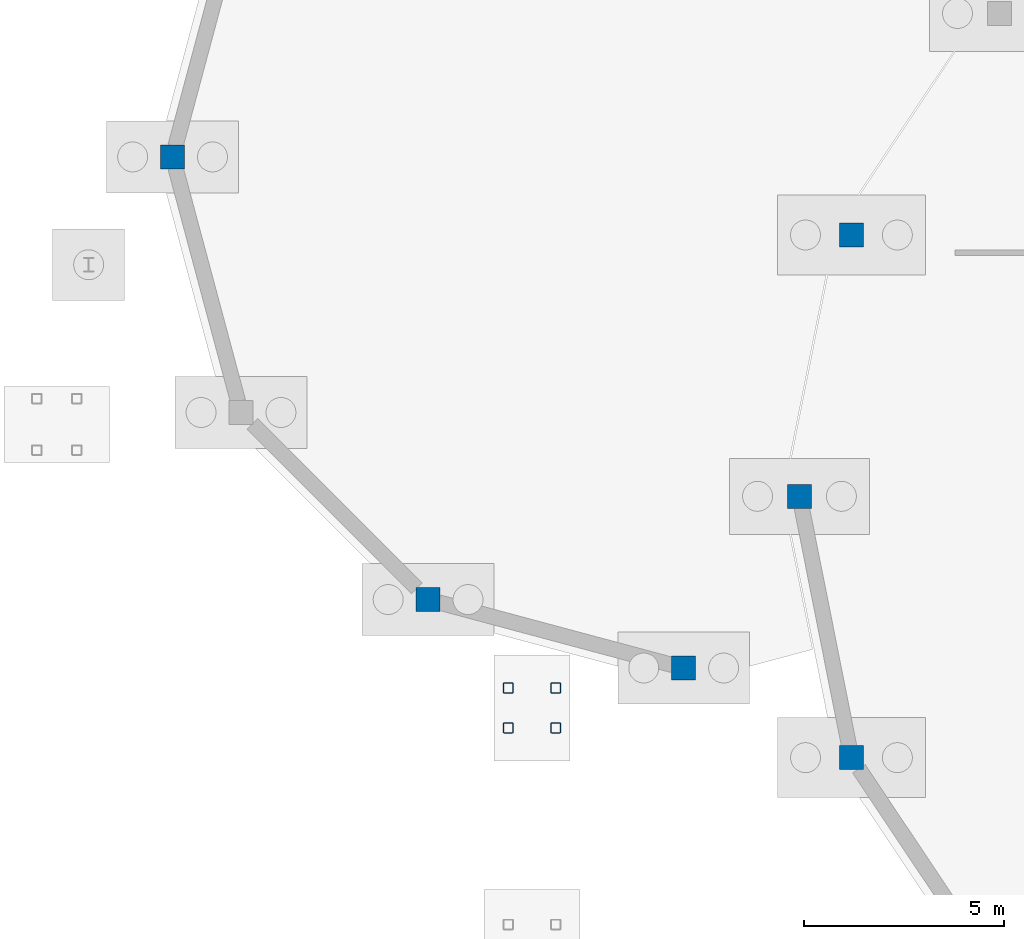
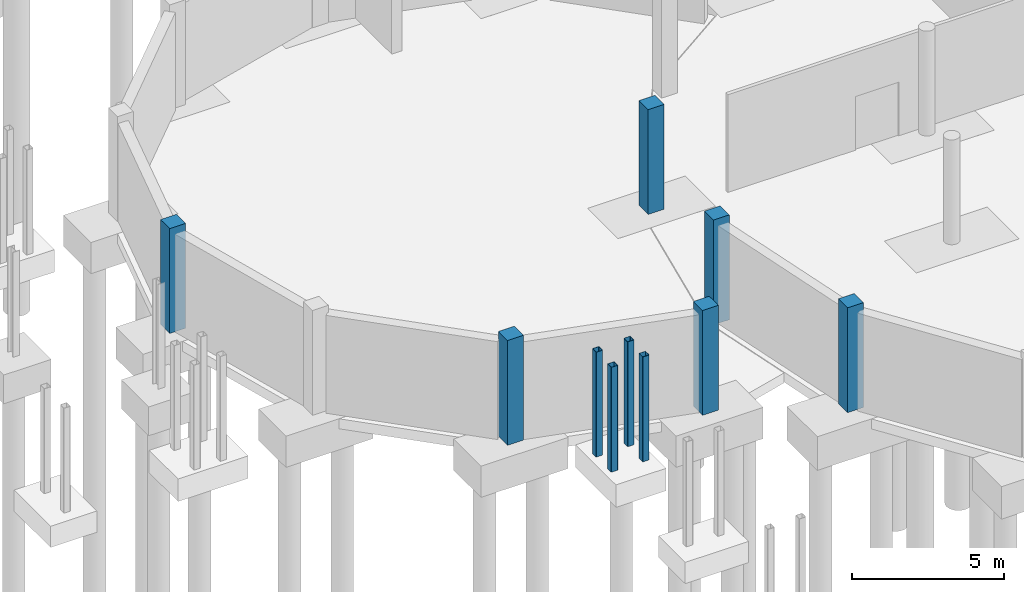
# One storey, part 13 of 43: 10 columns.
"""IFC4 building model written with IfcOpenShell, lengths in metres."""

from ifc_helpers import new_model, si_unit, direction, frame, origin, origin_2d, place, context, subcontext, project, spatial, rectangle, hollow_rectangle, extrude, material, material_profile, profile_set, type_object, element, save


model = new_model("IFC4")

# Units and contexts
model_context = context("Model", 3, precision=1e-05, world=origin(), true_north=direction((0.0, 1.0)))
body_context = subcontext(model_context, "Body", "Model", "MODEL_VIEW")
ifc_project = project(units=[si_unit("LENGTHUNIT", "METRE"), si_unit("AREAUNIT", "SQUARE_METRE"), si_unit("VOLUMEUNIT", "CUBIC_METRE"), si_unit("PLANEANGLEUNIT", "RADIAN"), si_unit("MASSUNIT", "GRAM", prefix="KILO")], contexts=[model_context])

# Site, building, storey
site_placement = place(None, origin())
site = spatial("IfcSite", under=ifc_project, at=site_placement, CompositionType="ELEMENT")
building_placement = place(site_placement, origin())
building = spatial("IfcBuilding", under=site, at=building_placement, Name="Vespera Passage Community Centre", CompositionType="ELEMENT")
storey_placement = place(building_placement, frame((0.0, 0.0, -4.199951171875)))
storey = spatial("IfcBuildingStorey", under=building, at=storey_placement, Name="B1", CompositionType="ELEMENT", Elevation=-4.199951171875)

# Columns
ifc_material_1 = material(Name="Steel ASTM A500 Grade C", Category="steel")
ifc_material_profile_1 = material_profile(ifc_material_1, hollow_rectangle(XDim=0.25390625, YDim=0.25390625, WallThickness=0.01171875, InnerFilletRadius=0.01171875, OuterFilletRadius=0.023681640625, at=origin_2d()), Name="HSS254X254X12.7")
ifc_profile_set_1 = profile_set([ifc_material_profile_1], Name="Steel ASTM A500 Grade C")
column_type_1 = type_object("IfcColumnType", Name="COL-HSS254E", PredefinedType="COLUMN", material=ifc_profile_set_1)
for number, where, z_axis, x_axis, name in (
    (1, (117.794921875, 19.199951171875, 0.0), (0.0, 0.0, 1.0), (1.0, 0.0, 0.0), "ST-CRT-05 Base Column T1"),
    (2, (116.60498046875, 19.199951171875, 0.0), (0.0, 0.0, 1.0), (1.0, 0.0, 0.0), "ST-CRT-05 Base Column T2"),
    (3, (117.794921875, 20.199951171875, 0.0), (0.0, 0.0, 1.0), (1.0, 0.0, 0.0), "ST-CRT-05 Base Column TF1"),
    (4, (116.60498046875, 20.199951171875, 0.0), (0.0, 0.0, 1.0), (1.0, 0.0, 0.0), "ST-CRT-05 Base Column TF2"),
):
    element("IfcColumn", number, at=place(storey_placement, frame(where, z_axis=z_axis, x_axis=x_axis)), inside=storey, type_object=column_type_1, Name=name, PredefinedType="COLUMN", context=body_context, shape_type="SweptSolid", body=[
        extrude(hollow_rectangle(XDim=0.25390625, YDim=0.25390625, WallThickness=0.01171875, InnerFilletRadius=0.01171875, OuterFilletRadius=0.023681640625, at=origin_2d()), origin(), (0.0, 0.0, 1.0), 4.199951171875),
    ])
ifc_material_2 = material(Name="Concrete f'c 45 MPa", Category="concrete")
ifc_material_profile_2 = material_profile(ifc_material_2, rectangle(XDim=0.60009765625, YDim=0.60009765625, at=origin_2d()), Name="RC600X600")
ifc_profile_set_2 = profile_set([ifc_material_profile_2], Name="Concrete f'c 45 MPa")
column_type_2 = type_object("IfcColumnType", Name="COL-RC600E", PredefinedType="COLUMN", material=ifc_profile_set_2)
for number, where, z_axis, x_axis, name in (
    (5, (125.20166015625, 31.5439453125, 0.0), (0.0, 0.0, 1.0), (1.0, 0.0, 0.0), "B1 Column V3-P08"),
    (6, (123.89990234375, 25.0, 0.0), (0.0, 0.0, 1.0), (1.0, 0.0, 0.0), "B1 Column V3-P09"),
    (7, (125.20166015625, 18.4560546875, 0.0), (0.0, 0.0, 1.0), (1.0, 0.0, 0.0), "B1 Column V3-P10"),
    (8, (108.199951171875, 33.5, 0.0), (0.0, 0.0, 1.0), (1.0, 0.0, 0.0), "B1 Column V3A-P07"),
    (9, (114.60009765625, 22.414794921875, 0.0), (0.0, 0.0, 1.0), (1.0, 0.0, 0.0), "B1 Column V3A-P09"),
    (10, (121.0, 20.699951171875, 0.0), (0.0, 0.0, 1.0), (1.0, 0.0, 0.0), "B1 Column V3A-P10"),
):
    element("IfcColumn", number, at=place(storey_placement, frame(where, z_axis=z_axis, x_axis=x_axis)), inside=storey, type_object=column_type_2, Name=name, PredefinedType="COLUMN", context=body_context, shape_type="SweptSolid", body=[
        extrude(rectangle(XDim=0.60009765625, YDim=0.60009765625, at=origin_2d()), origin(), (0.0, 0.0, 1.0), 4.199951171875),
    ])

save(model, "model.ifc")
